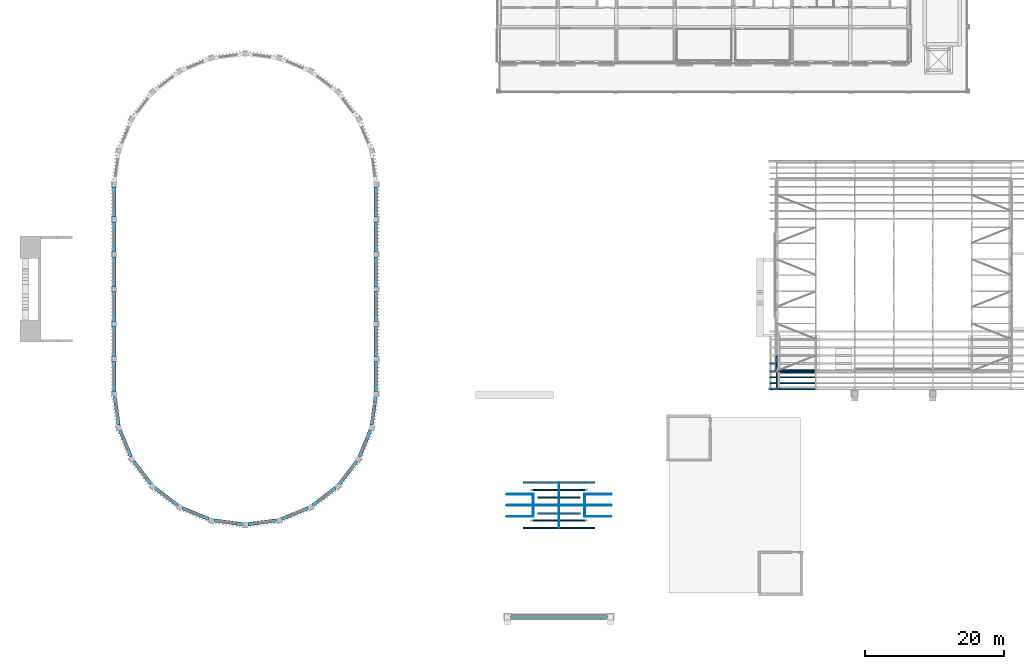
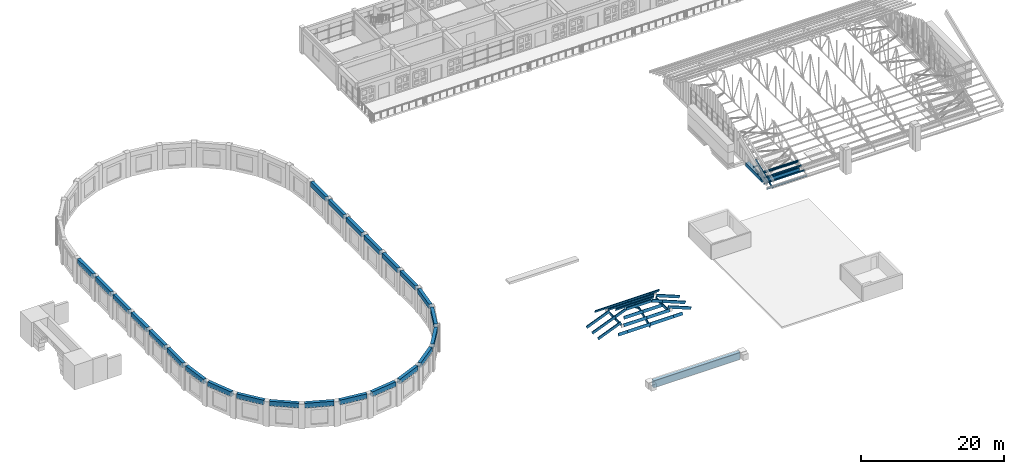
# One storey, part 3 of 71: 45 members, 28 beams.
"""IFC4 building model written with IfcOpenShell, lengths in metres."""

import ifcopenshell
import ifcopenshell.guid

model = None  # the IFC model being written
_history = None  # IfcOwnerHistory: only IFC2X3 demands one
_inside = {}  # id of a spatial element -> (the spatial element, [elements in it])
_under = {}  # id of a project, library or spatial element -> (it, [spatial elements below it])
_declared = {}  # id of a project -> (the project, [libraries it declares])
_typed = {}  # id of a type object -> (the type object, [elements of that type])
_made_of = {}  # id of a material, layer set ... -> (it, [elements and type objects made of it])


def new_model(schema):
    """Start an empty IFC model of exactly this schema.

    Asked for "IFC4X3", IfcOpenShell would pick the latest addendum, in which some entities
    have other attributes; the version numbers below select the first issue.
    IFC2X3 requires an IfcOwnerHistory on every rooted entity: one is made here for all.
    """
    global model, _history
    if schema == "IFC4X3":
        model = ifcopenshell.file(schema_version=(4, 3, 0, 0))
    else:
        model = ifcopenshell.file(schema=schema)
    _inside.clear()
    _under.clear()
    _declared.clear()
    _typed.clear()
    _made_of.clear()
    _history = None
    if model.schema == "IFC2X3":
        org = make("IfcOrganization", Name="unknown")
        user = make(
            "IfcPersonAndOrganization",
            ThePerson=make("IfcPerson", FamilyName="unknown"),
            TheOrganization=org,
        )
        app = make(
            "IfcApplication",
            ApplicationDeveloper=org,
            Version="unknown",
            ApplicationFullName="unknown",
            ApplicationIdentifier="unknown",
        )
        _history = make(
            "IfcOwnerHistory",
            OwningUser=user,
            OwningApplication=app,
            ChangeAction="ADDED",
            CreationDate=0,
        )
    return model


def make(cls, **values):
    """One entity of the class cls with the attributes given. An attribute that is None is left unset."""
    return model.create_entity(
        cls, **{name: value for name, value in values.items() if value is not None}
    )


def rooted(cls, **values):
    """An entity with a GlobalId (a new one), such as an element, a storey or a relation."""
    return make(cls, GlobalId=ifcopenshell.guid.new(), OwnerHistory=_history, **values)


def si_unit(unit_type, name, prefix=None):
    """IfcSIUnit, for example si_unit("LENGTHUNIT", "METRE", prefix="MILLI")."""
    return make("IfcSIUnit", UnitType=unit_type, Prefix=prefix, Name=name)


def assignment(units):
    """IfcUnitAssignment: the units of a project."""
    return None if units is None else make("IfcUnitAssignment", Units=units)


def point(xyz):
    """IfcCartesianPoint."""
    return None if xyz is None else make("IfcCartesianPoint", Coordinates=xyz)


def direction(xyz):
    """IfcDirection."""
    return None if xyz is None else make("IfcDirection", DirectionRatios=xyz)


def frame(location, z_axis=None, x_axis=None):
    """IfcAxis2Placement3D, a coordinate frame: its origin and axes. An axis left out is left unset."""
    return make(
        "IfcAxis2Placement3D",
        Location=point(location),
        Axis=direction(z_axis),
        RefDirection=direction(x_axis),
    )


def frame_2d(location, x_axis=None):
    """IfcAxis2Placement2D, a coordinate frame in the plane: its origin and x axis."""
    return make(
        "IfcAxis2Placement2D", Location=point(location), RefDirection=direction(x_axis)
    )


def origin():
    """The frame at (0, 0, 0) with its axes left unset."""
    return frame((0.0, 0.0, 0.0))


def origin_2d():
    """The frame at (0, 0) in the plane with its x axis left unset."""
    return frame_2d((0.0, 0.0))


def place(relative_to, where):
    """IfcLocalPlacement: puts the frame where relative to a parent placement (None: the world)."""
    return make(
        "IfcLocalPlacement", PlacementRelTo=relative_to, RelativePlacement=where
    )


def context(
    kind, dimensions, precision=None, world=None, true_north=None, identifier=None
):
    """IfcGeometricRepresentationContext, for example the 3D "Model" context."""
    return make(
        "IfcGeometricRepresentationContext",
        ContextIdentifier=identifier,
        ContextType=kind,
        CoordinateSpaceDimension=dimensions,
        Precision=precision,
        WorldCoordinateSystem=world,
        TrueNorth=true_north,
    )


def subcontext(parent, identifier, kind, view, scale=None):
    """IfcGeometricRepresentationSubContext, for example "Body" below "Model"."""
    return make(
        "IfcGeometricRepresentationSubContext",
        ContextIdentifier=identifier,
        ContextType=kind,
        ParentContext=parent,
        TargetScale=scale,
        TargetView=view,
    )


def project(units=None, contexts=None):
    """IfcProject with its units and contexts."""
    return rooted(
        "IfcProject",
        Name="project",
        RepresentationContexts=contexts,
        UnitsInContext=assignment(units),
    )


def spatial(cls, under=None, at=None, **own):
    """A site, building, storey or space (cls), placed at a placement, below another one or the project."""
    s = rooted(cls, ObjectPlacement=at, **own)
    if under is not None:
        _under.setdefault(under.id(), (under, []))[1].append(s)
    return s


def profile(cls, at=None, kind="AREA", **sizes):
    """A parametric profile (cls). Its sizes go by their IFC names, for example OverallWidth=200.0."""
    return make(cls, ProfileType=kind, Position=at, **sizes)


def rectangle(**sizes):
    """IfcRectangleProfileDef."""
    return profile("IfcRectangleProfileDef", **sizes)


def hollow_rectangle(**sizes):
    """IfcRectangleHollowProfileDef."""
    return profile("IfcRectangleHollowProfileDef", **sizes)


def i_section(**sizes):
    """IfcIShapeProfileDef."""
    return profile("IfcIShapeProfileDef", **sizes)


def extrude(swept, where, along, depth):
    """IfcExtrudedAreaSolid: the profile swept, set in the frame where, extruded along a direction by depth."""
    return make(
        "IfcExtrudedAreaSolid",
        SweptArea=swept,
        Position=where,
        ExtrudedDirection=direction(along),
        Depth=depth,
    )


def shape(context_of_items, identifier, shape_type, items):
    """IfcShapeRepresentation: the items that make up one representation, for example the "Body"."""
    return make(
        "IfcShapeRepresentation",
        ContextOfItems=context_of_items,
        RepresentationIdentifier=identifier,
        RepresentationType=shape_type,
        Items=items,
    )


def material(Name=None, Category=None):
    """IfcMaterial."""
    return make("IfcMaterial", Name=Name, Category=Category)


def material_profile(
    of_material, cross_section, Name=None, Category=None, Priority=None
):
    """IfcMaterialProfile: a cross section and its material."""
    return make(
        "IfcMaterialProfile",
        Name=Name,
        Material=of_material,
        Profile=cross_section,
        Priority=Priority,
        Category=Category,
    )


def profile_set(profiles, Name=None, composite=None):
    """IfcMaterialProfileSet."""
    return make(
        "IfcMaterialProfileSet",
        Name=Name,
        MaterialProfiles=profiles,
        CompositeProfile=composite,
    )


def made_of(thing, what):
    """Note that an element or type object is made of a material, layer set ...; save() writes the relation."""
    if what is not None:
        _made_of.setdefault(what.id(), (what, []))[1].append(thing)
    return thing


def type_object(cls, material=None, **own):
    """A type object (cls), such as IfcWallType, which elements share."""
    return made_of(rooted(cls, **own), material)


def element(
    cls,
    number,
    at=None,
    inside=None,
    cuts=None,
    type_object=None,
    material=None,
    context=None,
    identifier="Body",
    shape_type=None,
    held_by="IfcProductDefinitionShape",
    body=None,
    shapes=None,
    **own,
):
    """One element of the class cls, such as IfcWall. Its Tag is "e" and its number.

    at: its placement. inside: the storey or other place that contains it. cuts: it is an
    opening in that element (IfcRelVoidsElement). A single representation is given by context,
    identifier, shape_type and body (its items); several are given by shapes. held_by: the class
    of the entity that holds the representations. save() writes the other relations.
    """
    e = rooted(cls, Tag="e%d" % number, ObjectPlacement=at, **own)
    if body is not None:
        shapes = [shape(context, identifier, shape_type, body)]
    if shapes is not None:
        e.Representation = make(held_by, Representations=shapes)
    if inside is not None:
        _inside.setdefault(inside.id(), (inside, []))[1].append(e)
    if cuts is not None:
        rooted(
            "IfcRelVoidsElement", RelatingBuildingElement=cuts, RelatedOpeningElement=e
        )
    if type_object is not None:
        _typed.setdefault(type_object.id(), (type_object, []))[1].append(e)
    return made_of(e, material)


def aggregate(whole, parts):
    """IfcRelAggregates: a whole, such as a stair, and the parts it consists of."""
    return rooted("IfcRelAggregates", RelatingObject=whole, RelatedObjects=parts)


def save(model, path):
    """Write the relations noted so far, then the file.

    IfcRelAggregates (storeys below a building ...), IfcRelContainedInSpatialStructure (elements
    in a storey), IfcRelDefinesByType, IfcRelAssociatesMaterial and IfcRelDeclares: one each for
    every whole, place, type object, material and project.
    """
    for whole, parts in _under.values():
        aggregate(whole, parts)
    for where, things in _inside.values():
        rooted(
            "IfcRelContainedInSpatialStructure",
            RelatedElements=things,
            RelatingStructure=where,
        )
    for kind, things in _typed.values():
        rooted("IfcRelDefinesByType", RelatedObjects=things, RelatingType=kind)
    for what, things in _made_of.values():
        rooted("IfcRelAssociatesMaterial", RelatedObjects=things, RelatingMaterial=what)
    for by, libraries in _declared.values():
        rooted("IfcRelDeclares", RelatingContext=by, RelatedDefinitions=libraries)
    model.write(path)


model = new_model("IFC4")

# Units and contexts
model_context = context("Model", 3, precision=1e-05, world=origin(), true_north=direction((0.0, 1.0)))
body_context = subcontext(model_context, "Body", "Model", "MODEL_VIEW")
ifc_project = project(units=[si_unit("LENGTHUNIT", "METRE"), si_unit("AREAUNIT", "SQUARE_METRE"), si_unit("VOLUMEUNIT", "CUBIC_METRE"), si_unit("PLANEANGLEUNIT", "RADIAN"), si_unit("MASSUNIT", "GRAM", prefix="KILO")], contexts=[model_context])

# Site, building, storey
site_placement = place(None, origin())
site = spatial("IfcSite", under=ifc_project, at=site_placement, CompositionType="ELEMENT")
building_placement = place(site_placement, origin())
building = spatial("IfcBuilding", under=site, at=building_placement, Name="Wasatch Bagh Community Centre", CompositionType="ELEMENT")
storey_placement = place(building_placement, frame((0.0, 0.0, 12.60009765625)))
storey = spatial("IfcBuildingStorey", under=building, at=storey_placement, Name="L03", CompositionType="ELEMENT", Elevation=12.60009765625)

# Beams
ifc_material_1 = material(Name="Concrete C35", Category="concrete")
ifc_material_profile_1 = material_profile(ifc_material_1, rectangle(XDim=0.5, YDim=1.199951171875, at=origin_2d()), Name="RC 500x1200")
ifc_profile_set_1 = profile_set([ifc_material_profile_1], Name="Concrete C35")
beam_type_1 = type_object("IfcBeamType", Name="CL-B3", PredefinedType="BEAM", material=ifc_profile_set_1)
beam_1_placement = place(storey_placement, frame((74.050048828125, 3.0, 0.39990234375), z_axis=(1.0, 0.0, 0.0), x_axis=(0.0, 1.0, 0.0)))
element("IfcBeam", 1, at=beam_1_placement, inside=storey, type_object=beam_type_1, Name="CL-B3 head beam DHI", PredefinedType="BEAM", context=body_context, shape_type="SweptSolid", body=[
    extrude(rectangle(XDim=0.5, YDim=1.199951171875, at=origin_2d()), origin(), (0.0, 0.0, 1.0), 13.89990234375),
])
ifc_material_2 = material(Name="Glulam 24F-V4 Douglas fir-larch", Category="wood")
ifc_material_profile_2 = material_profile(ifc_material_2, rectangle(XDim=0.130126953125, YDim=0.457275390625, at=origin_2d()), Name="GL 130x457")
ifc_profile_set_2 = profile_set([ifc_material_profile_2], Name="Glulam 24F-V4 Douglas fir-larch")
beam_type_2 = type_object("IfcBeamType", Name="DH GL 130x457 beam", PredefinedType="BEAM", material=ifc_profile_set_2)
beam_2_placement = place(storey_placement, frame((79.0, 19.0, 1.6572265625), z_axis=(1.0, 0.0, 0.0), x_axis=(0.0, 1.0, 0.0)))
element("IfcBeam", 2, at=beam_2_placement, inside=storey, type_object=beam_type_2, Name="DH.ridge", PredefinedType="BEAM", context=body_context, shape_type="SweptSolid", body=[
    extrude(rectangle(XDim=0.130126953125, YDim=0.457275390625, at=origin_2d()), origin(), (0.0, 0.0, 1.0), 4.0),
])

# Members
ifc_material_profile_3 = material_profile(ifc_material_2, rectangle(XDim=0.130126953125, YDim=0.457275390625, at=origin_2d()), Name="GL 130x457")
ifc_profile_set_3 = profile_set([ifc_material_profile_3], Name="Glulam 24F-V4 Douglas fir-larch")
member_type_1 = type_object("IfcMemberType", Name="DH GL 130x457 chord", PredefinedType="CHORD", material=ifc_profile_set_3)
for number, where, z_axis, x_axis, name in (
    (3, (77.300048828125, 17.344970703125, 0.509033203125), (0.0, 0.99999685191, 0.002509217193), (-1.0, 0.0, 0.0), "DH.TH3.TC05"),
    (4, (77.300048828125, 19.0009765625, 0.51318359375), (0.0, 0.99999685191, -0.002509217193), (-1.0, 0.0, 0.0), "DH.TH3.TC06"),
):
    element("IfcMember", number, at=place(storey_placement, frame(where, z_axis=z_axis, x_axis=x_axis)), inside=storey, type_object=member_type_1, Name=name, PredefinedType="CHORD", context=body_context, shape_type="SweptSolid", body=[
        extrude(rectangle(XDim=0.130126953125, YDim=0.457275390625, at=origin_2d()), origin(), (0.0, 0.0, 1.0), 1.654052734375),
    ])
for number, where, z_axis, x_axis, name in (
    (5, (81.0, 15.801025390625, -0.1103515625), (0.0, 0.925375702556, 0.379051195908), (-1.0, 0.0, 0.0), "DH.TH4.TC05"),
    (6, (81.0, 19.087158203125, 1.164306640625), (0.0, 0.925375702556, -0.379051195908), (-1.0, 0.0, 0.0), "DH.TH4.TC06"),
):
    element("IfcMember", number, at=place(storey_placement, frame(where, z_axis=z_axis, x_axis=x_axis)), inside=storey, type_object=member_type_1, Name=name, PredefinedType="CHORD", context=body_context, shape_type="SweptSolid", body=[
        extrude(rectangle(XDim=0.130126953125, YDim=0.457275390625, at=origin_2d()), origin(), (0.0, 0.0, 1.0), 3.36279296875),
    ])
for number, where, z_axis, x_axis, name in (
    (7, (84.699951171875, 17.344970703125, 0.509033203125), (0.0, 0.99999685191, 0.002509217193), (-1.0, 0.0, 0.0), "DH.TH5.TC05"),
    (8, (84.699951171875, 19.0009765625, 0.51318359375), (0.0, 0.99999685191, -0.002509217193), (-1.0, 0.0, 0.0), "DH.TH5.TC06"),
):
    element("IfcMember", number, at=place(storey_placement, frame(where, z_axis=z_axis, x_axis=x_axis)), inside=storey, type_object=member_type_1, Name=name, PredefinedType="CHORD", context=body_context, shape_type="SweptSolid", body=[
        extrude(rectangle(XDim=0.130126953125, YDim=0.457275390625, at=origin_2d()), origin(), (0.0, 0.0, 1.0), 1.654052734375),
    ])
ifc_material_profile_4 = material_profile(ifc_material_2, rectangle(XDim=0.130126953125, YDim=0.457275390625, at=origin_2d()), Name="GL 130x457")
ifc_profile_set_4 = profile_set([ifc_material_profile_4], Name="Glulam 24F-V4 Douglas fir-larch")
member_type_2 = type_object("IfcMemberType", Name="DH GL 130x457 purlin", PredefinedType="PURLIN", material=ifc_profile_set_4)
member_1_placement = place(storey_placement, frame((75.82861328125, 15.742919921875, 0.359130859375), z_axis=(1.0, 0.0, 0.0), x_axis=(0.0, 0.927183854567, -0.374606593416)))
element("IfcMember", 9, at=member_1_placement, inside=storey, type_object=member_type_2, Name="DH.PUR.S12.1", PredefinedType="PURLIN", context=body_context, shape_type="SweptSolid", body=[
    extrude(rectangle(XDim=0.130126953125, YDim=0.457275390625, at=origin_2d()), origin(), (0.0, 0.0, 1.0), 1.471435546875),
])
for number, where, z_axis, x_axis, name in (
    (10, (77.300048828125, 15.742919921875, 0.359130859375), (1.0, 0.0, 0.0), (0.0, 0.927183854567, -0.374606593416), "DH.PUR.S12.2"),
    (11, (81.0, 15.742919921875, 0.359130859375), (1.0, 0.0, 0.0), (0.0, 0.927183854567, -0.374606593416), "DH.PUR.S12.3"),
):
    element("IfcMember", number, at=place(storey_placement, frame(where, z_axis=z_axis, x_axis=x_axis)), inside=storey, type_object=member_type_2, Name=name, PredefinedType="PURLIN", context=body_context, shape_type="SweptSolid", body=[
        extrude(rectangle(XDim=0.130126953125, YDim=0.457275390625, at=origin_2d()), origin(), (0.0, 0.0, 1.0), 3.699951171875),
    ])
member_2_placement = place(storey_placement, frame((84.699951171875, 15.742919921875, 0.359130859375), z_axis=(1.0, 0.0, 0.0), x_axis=(0.0, 0.927183854567, -0.374606593416)))
element("IfcMember", 12, at=member_2_placement, inside=storey, type_object=member_type_2, Name="DH.PUR.S12.4", PredefinedType="PURLIN", context=body_context, shape_type="SweptSolid", body=[
    extrude(rectangle(XDim=0.130126953125, YDim=0.457275390625, at=origin_2d()), origin(), (0.0, 0.0, 1.0), 1.471435546875),
])
for number, where, z_axis, x_axis, name in (
    (13, (77.300048828125, 16.800048828125, 0.786376953125), (1.0, 0.0, 0.0), (0.0, 0.927183854567, -0.374606593416), "DH.PUR.S13.2"),
    (14, (81.0, 16.800048828125, 0.786376953125), (1.0, 0.0, 0.0), (0.0, 0.927183854567, -0.374606593416), "DH.PUR.S13.3"),
):
    element("IfcMember", number, at=place(storey_placement, frame(where, z_axis=z_axis, x_axis=x_axis)), inside=storey, type_object=member_type_2, Name=name, PredefinedType="PURLIN", context=body_context, shape_type="SweptSolid", body=[
        extrude(rectangle(XDim=0.130126953125, YDim=0.457275390625, at=origin_2d()), origin(), (0.0, 0.0, 1.0), 3.699951171875),
    ])
for number, where, z_axis, x_axis, name in (
    (15, (77.94287109375, 17.857177734375, 1.21337890625), (1.0, 0.0, 0.0), (0.0, 0.927183854567, -0.374606593416), "DH.PUR.S14.1"),
    (16, (81.0, 17.857177734375, 1.21337890625), (1.0, 0.0, 0.0), (0.0, 0.927183854567, -0.374606593416), "DH.PUR.S14.2"),
):
    element("IfcMember", number, at=place(storey_placement, frame(where, z_axis=z_axis, x_axis=x_axis)), inside=storey, type_object=member_type_2, Name=name, PredefinedType="PURLIN", context=body_context, shape_type="SweptSolid", body=[
        extrude(rectangle(XDim=0.130126953125, YDim=0.457275390625, at=origin_2d()), origin(), (0.0, 0.0, 1.0), 3.05712890625),
    ])
member_3_placement = place(storey_placement, frame((75.82861328125, 22.257080078125, 0.359130859375), z_axis=(1.0, 0.0, 0.0), x_axis=(0.0, 0.927183854567, 0.374606593416)))
element("IfcMember", 17, at=member_3_placement, inside=storey, type_object=member_type_2, Name="DH.PUR.N12.1", PredefinedType="PURLIN", context=body_context, shape_type="SweptSolid", body=[
    extrude(rectangle(XDim=0.130126953125, YDim=0.457275390625, at=origin_2d()), origin(), (0.0, 0.0, 1.0), 1.471435546875),
])
for number, where, z_axis, x_axis, name in (
    (18, (77.300048828125, 22.257080078125, 0.359130859375), (1.0, 0.0, 0.0), (0.0, 0.927183854567, 0.374606593416), "DH.PUR.N12.2"),
    (19, (81.0, 22.257080078125, 0.359130859375), (1.0, 0.0, 0.0), (0.0, 0.927183854567, 0.374606593416), "DH.PUR.N12.3"),
):
    element("IfcMember", number, at=place(storey_placement, frame(where, z_axis=z_axis, x_axis=x_axis)), inside=storey, type_object=member_type_2, Name=name, PredefinedType="PURLIN", context=body_context, shape_type="SweptSolid", body=[
        extrude(rectangle(XDim=0.130126953125, YDim=0.457275390625, at=origin_2d()), origin(), (0.0, 0.0, 1.0), 3.699951171875),
    ])
member_4_placement = place(storey_placement, frame((84.699951171875, 22.257080078125, 0.359130859375), z_axis=(1.0, 0.0, 0.0), x_axis=(0.0, 0.927183854567, 0.374606593416)))
element("IfcMember", 20, at=member_4_placement, inside=storey, type_object=member_type_2, Name="DH.PUR.N12.4", PredefinedType="PURLIN", context=body_context, shape_type="SweptSolid", body=[
    extrude(rectangle(XDim=0.130126953125, YDim=0.457275390625, at=origin_2d()), origin(), (0.0, 0.0, 1.0), 1.471435546875),
])
for number, where, z_axis, x_axis, name in (
    (21, (77.300048828125, 21.199951171875, 0.786376953125), (1.0, 0.0, 0.0), (0.0, 0.927183854567, 0.374606593416), "DH.PUR.N13.2"),
    (22, (81.0, 21.199951171875, 0.786376953125), (1.0, 0.0, 0.0), (0.0, 0.927183854567, 0.374606593416), "DH.PUR.N13.3"),
):
    element("IfcMember", number, at=place(storey_placement, frame(where, z_axis=z_axis, x_axis=x_axis)), inside=storey, type_object=member_type_2, Name=name, PredefinedType="PURLIN", context=body_context, shape_type="SweptSolid", body=[
        extrude(rectangle(XDim=0.130126953125, YDim=0.457275390625, at=origin_2d()), origin(), (0.0, 0.0, 1.0), 3.699951171875),
    ])
for number, where, z_axis, x_axis, name in (
    (23, (77.94287109375, 20.142822265625, 1.21337890625), (1.0, 0.0, 0.0), (0.0, 0.927183854567, 0.374606593416), "DH.PUR.N14.1"),
    (24, (81.0, 20.142822265625, 1.21337890625), (1.0, 0.0, 0.0), (0.0, 0.927183854567, 0.374606593416), "DH.PUR.N14.2"),
):
    element("IfcMember", number, at=place(storey_placement, frame(where, z_axis=z_axis, x_axis=x_axis)), inside=storey, type_object=member_type_2, Name=name, PredefinedType="PURLIN", context=body_context, shape_type="SweptSolid", body=[
        extrude(rectangle(XDim=0.130126953125, YDim=0.457275390625, at=origin_2d()), origin(), (0.0, 0.0, 1.0), 3.05712890625),
    ])
ifc_material_profile_5 = material_profile(ifc_material_2, rectangle(XDim=0.130126953125, YDim=0.457275390625, at=origin_2d()), Name="GL 130x457")
ifc_profile_set_5 = profile_set([ifc_material_profile_5], Name="Glulam 24F-V4 Douglas fir-larch")
member_type_3 = type_object("IfcMemberType", Name="DH GL 130x457 rafter", PredefinedType="RAFTER", material=ifc_profile_set_5)
for number, where, z_axis, x_axis, name in (
    (25, (73.514404296875, 17.39990234375, -0.541259765625), (0.927162974835, 0.0, 0.374658268419), (0.0, 1.0, 0.0), "DH.RAF.W07.4"),
    (26, (88.485595703125, 17.39990234375, -0.541259765625), (-0.927162974835, 0.0, 0.374658268419), (0.0, -1.0, 0.0), "DH.RAF.E07.3"),
    (27, (73.514404296875, 19.0, -0.541259765625), (0.927162974835, 0.0, 0.374658268419), (0.0, 1.0, 0.0), "DH.RAF.W08.4"),
):
    element("IfcMember", number, at=place(storey_placement, frame(where, z_axis=z_axis, x_axis=x_axis)), inside=storey, type_object=member_type_3, Name=name, PredefinedType="RAFTER", context=body_context, shape_type="SweptSolid", body=[
        extrude(rectangle(XDim=0.130126953125, YDim=0.457275390625, at=origin_2d()), origin(), (0.0, 0.0, 1.0), 3.99072265625),
    ])
member_5_placement = place(storey_placement, frame((77.21435546875, 19.0, 0.953857421875), z_axis=(0.927194705015, 0.0, 0.374579736494), x_axis=(0.0, 1.0, 0.0)))
element("IfcMember", 28, at=member_5_placement, inside=storey, type_object=member_type_3, Name="DH.RAF.W08.5", PredefinedType="RAFTER", context=body_context, shape_type="SweptSolid", body=[
    extrude(rectangle(XDim=0.130126953125, YDim=0.457275390625, at=origin_2d()), origin(), (0.0, 0.0, 1.0), 1.83349609375),
])
member_6_placement = place(storey_placement, frame((88.485595703125, 19.0, -0.541259765625), z_axis=(-0.927162974835, 0.0, 0.374658268419), x_axis=(0.0, -1.0, 0.0)))
element("IfcMember", 29, at=member_6_placement, inside=storey, type_object=member_type_3, Name="DH.RAF.E08.3", PredefinedType="RAFTER", context=body_context, shape_type="SweptSolid", body=[
    extrude(rectangle(XDim=0.130126953125, YDim=0.457275390625, at=origin_2d()), origin(), (0.0, 0.0, 1.0), 3.99072265625),
])
member_7_placement = place(storey_placement, frame((84.78564453125, 19.0, 0.953857421875), z_axis=(-0.927194705015, 0.0, 0.374579736494), x_axis=(0.0, -1.0, 0.0)))
element("IfcMember", 30, at=member_7_placement, inside=storey, type_object=member_type_3, Name="DH.RAF.E08.4", PredefinedType="RAFTER", context=body_context, shape_type="SweptSolid", body=[
    extrude(rectangle(XDim=0.130126953125, YDim=0.457275390625, at=origin_2d()), origin(), (0.0, 0.0, 1.0), 1.83349609375),
])
for number, where, z_axis, x_axis, name in (
    (31, (73.514404296875, 20.60009765625, -0.541259765625), (0.927162974835, 0.0, 0.374658268419), (0.0, 1.0, 0.0), "DH.RAF.W09.4"),
    (32, (88.485595703125, 20.60009765625, -0.541259765625), (-0.927162974835, 0.0, 0.374658268419), (0.0, -1.0, 0.0), "DH.RAF.E09.3"),
):
    element("IfcMember", number, at=place(storey_placement, frame(where, z_axis=z_axis, x_axis=x_axis)), inside=storey, type_object=member_type_3, Name=name, PredefinedType="RAFTER", context=body_context, shape_type="SweptSolid", body=[
        extrude(rectangle(XDim=0.130126953125, YDim=0.457275390625, at=origin_2d()), origin(), (0.0, 0.0, 1.0), 3.99072265625),
    ])

# Beams
ifc_material_profile_6 = material_profile(ifc_material_1, rectangle(XDim=0.5, YDim=0.800048828125, at=origin_2d()), Name="RC 500x800")
ifc_profile_set_6 = profile_set([ifc_material_profile_6], Name="Concrete C35")
beam_type_3 = type_object("IfcBeamType", Name="MH ring beam RC 500x800", PredefinedType="BEAM", material=ifc_profile_set_6)
for number, where, z_axis, x_axis, name in (
    (33, (17.300537109375, 34.616943359375, 3.7998046875), (0.130483623501, -0.991450464722, 0.0), (0.991450464722, 0.130483623501, 0.0), "Ring beam 16.8 W1-S1"),
    (34, (18.036865234375, 29.7900390625, 3.7998046875), (0.382688328955, -0.923877504262, 0.0), (0.923877504262, 0.382688328955, 0.0), "Ring beam 16.8 S1-S2"),
    (35, (19.997314453125, 25.318359375, 3.7998046875), (0.60877717335, -0.793341258985, 0.0), (0.793341258985, 0.60877717335, 0.0), "Ring beam 16.8 S2-S3"),
    (36, (23.04833984375, 21.506591796875, 3.7998046875), (0.793341258985, -0.60877717335, 0.0), (0.60877717335, 0.793341258985, 0.0), "Ring beam 16.8 S3-S4"),
    (37, (26.98193359375, 18.6142578125, 3.7998046875), (0.923877504262, -0.382688328955, 0.0), (0.382688328955, 0.923877504262, 0.0), "Ring beam 16.8 S4-S5"),
    (38, (31.5302734375, 16.83837890625, 3.7998046875), (0.991450464722, -0.130483623501, 0.0), (0.130483623501, 0.991450464722, 0.0), "Ring beam 16.8 S5-S6"),
    (39, (36.383056640625, 16.300537109375, 3.7998046875), (0.991450464722, 0.130483623501, 0.0), (-0.130483623501, 0.991450464722, 0.0), "Ring beam 16.8 S6-S7"),
    (40, (41.2099609375, 17.036865234375, 3.7998046875), (0.923877504262, 0.382688328955, 0.0), (-0.382688328955, 0.923877504262, 0.0), "Ring beam 16.8 S7-S8"),
    (41, (45.681640625, 18.997314453125, 3.7998046875), (0.793341258985, 0.60877717335, 0.0), (-0.60877717335, 0.793341258985, 0.0), "Ring beam 16.8 S8-S9"),
    (42, (49.493408203125, 22.04833984375, 3.7998046875), (0.60877717335, 0.793341258985, 0.0), (-0.793341258985, 0.60877717335, 0.0), "Ring beam 16.8 S9-S10"),
    (43, (52.3857421875, 25.98193359375, 3.7998046875), (0.382688328955, 0.923877504262, 0.0), (-0.923877504262, 0.382688328955, 0.0), "Ring beam 16.8 S10-S11"),
    (44, (54.16162109375, 30.5302734375, 3.7998046875), (0.130483623501, 0.991450464722, 0.0), (-0.991450464722, 0.130483623501, 0.0), "Ring beam 16.8 S11-E1"),
):
    element("IfcBeam", number, at=place(storey_placement, frame(where, z_axis=z_axis, x_axis=x_axis)), inside=storey, type_object=beam_type_3, Name=name, PredefinedType="BEAM", context=body_context, shape_type="SweptSolid", body=[
        extrude(rectangle(XDim=0.5, YDim=0.800048828125, at=origin_2d()), origin(), (0.0, 0.0, 1.0), 4.121826171875),
    ])
for number, where, z_axis, x_axis, name in (
    (45, (54.75, 35.3505859375, 3.7998046875), (0.0, 1.0, 0.0), (-1.0, 0.0, 0.0), "Ring beam 16.8 E1-E2"),
    (46, (54.75, 40.3505859375, 3.7998046875), (0.0, 1.0, 0.0), (-1.0, 0.0, 0.0), "Ring beam 16.8 E2-E3"),
    (47, (54.75, 45.3505859375, 3.7998046875), (0.0, 1.0, 0.0), (-1.0, 0.0, 0.0), "Ring beam 16.8 E3-E4"),
    (48, (54.75, 50.3505859375, 3.7998046875), (0.0, 1.0, 0.0), (-1.0, 0.0, 0.0), "Ring beam 16.8 E4-E5"),
    (49, (54.75, 55.3505859375, 3.7998046875), (0.0, 1.0, 0.0), (-1.0, 0.0, 0.0), "Ring beam 16.8 E5-E6"),
    (50, (54.75, 60.3505859375, 3.7998046875), (0.0, 1.0, 0.0), (-1.0, 0.0, 0.0), "Ring beam 16.8 E6-E7"),
    (51, (17.25, 64.6494140625, 3.7998046875), (0.0, -1.0, 0.0), (1.0, 0.0, 0.0), "Ring beam 16.8 W7-W6"),
    (52, (17.25, 59.6494140625, 3.7998046875), (0.0, -1.0, 0.0), (1.0, 0.0, 0.0), "Ring beam 16.8 W6-W5"),
    (53, (17.25, 54.6494140625, 3.7998046875), (0.0, -1.0, 0.0), (1.0, 0.0, 0.0), "Ring beam 16.8 W5-W4"),
    (54, (17.25, 49.6494140625, 3.7998046875), (0.0, -1.0, 0.0), (1.0, 0.0, 0.0), "Ring beam 16.8 W4-W3"),
    (55, (17.25, 44.6494140625, 3.7998046875), (0.0, -1.0, 0.0), (1.0, 0.0, 0.0), "Ring beam 16.8 W3-W2"),
    (56, (17.25, 39.6494140625, 3.7998046875), (0.0, -1.0, 0.0), (1.0, 0.0, 0.0), "Ring beam 16.8 W2-W1"),
):
    element("IfcBeam", number, at=place(storey_placement, frame(where, z_axis=z_axis, x_axis=x_axis)), inside=storey, type_object=beam_type_3, Name=name, PredefinedType="BEAM", context=body_context, shape_type="SweptSolid", body=[
        extrude(rectangle(XDim=0.5, YDim=0.800048828125, at=origin_2d()), origin(), (0.0, 0.0, 1.0), 4.298828125),
    ])

# Members
ifc_material_3 = material(Name="ASTM A500 Grade C steel", Category="steel")
ifc_material_profile_7 = material_profile(ifc_material_3, hollow_rectangle(XDim=0.1015625, YDim=0.1015625, WallThickness=0.005859375, InnerFilletRadius=0.005859375, OuterFilletRadius=0.01171875, at=origin_2d()), Name="HSS4x4x1/4")
ifc_profile_set_7 = profile_set([ifc_material_profile_7], Name="ASTM A500 Grade C steel")
member_type_4 = type_object("IfcMemberType", Name="SH HSS4x4x1/4 strut", PredefinedType="STRUT", material=ifc_profile_set_7)
member_8_placement = place(storey_placement, frame((112.29541015625, 38.199951171875, 1.500244140625), z_axis=(1.0, 0.0, 0.0), x_axis=(0.0, 1.0, 0.0)))
element("IfcMember", 57, at=member_8_placement, inside=storey, type_object=member_type_4, Name="SH.BR.wT.ST01W", PredefinedType="STRUT", context=body_context, shape_type="SweptSolid", body=[
    extrude(hollow_rectangle(XDim=0.1015625, YDim=0.1015625, WallThickness=0.005859375, InnerFilletRadius=0.005859375, OuterFilletRadius=0.01171875, at=origin_2d()), origin(), (0.0, 0.0, 1.0), 5.4091796875),
])
member_9_placement = place(storey_placement, frame((112.27001953125, 38.199951171875, 0.68603515625), z_axis=(1.0, 0.0, 0.0), x_axis=(0.0, 1.0, 0.0)))
element("IfcMember", 58, at=member_9_placement, inside=storey, type_object=member_type_4, Name="SH.BR.wB.ST01W", PredefinedType="STRUT", context=body_context, shape_type="SweptSolid", body=[
    extrude(hollow_rectangle(XDim=0.1015625, YDim=0.1015625, WallThickness=0.005859375, InnerFilletRadius=0.005859375, OuterFilletRadius=0.01171875, at=origin_2d()), origin(), (0.0, 0.0, 1.0), 5.4599609375),
])
ifc_material_profile_8 = material_profile(ifc_material_3, hollow_rectangle(XDim=0.126953125, YDim=0.126953125, WallThickness=0.00732421875, InnerFilletRadius=0.00732421875, OuterFilletRadius=0.0146484375, at=origin_2d()), Name="HSS5x5x5/16")
ifc_profile_set_8 = profile_set([ifc_material_profile_8], Name="ASTM A500 Grade C steel")
member_type_5 = type_object("IfcMemberType", Name="SH HSS5x5x5/16 brace", PredefinedType="BRACE", material=ifc_profile_set_8)
member_10_placement = place(storey_placement, frame((112.199951171875, 38.458740234375, 0.81201171875), z_axis=(0.0, 0.775829568588, 0.630942533441), x_axis=(-1.0, 0.0, 0.0)))
element("IfcMember", 59, at=member_10_placement, inside=storey, type_object=member_type_5, Name="SH.SA1.WB01", PredefinedType="BRACE", context=body_context, shape_type="SweptSolid", body=[
    extrude(hollow_rectangle(XDim=0.126953125, YDim=0.126953125, WallThickness=0.00732421875, InnerFilletRadius=0.00732421875, OuterFilletRadius=0.0146484375, at=origin_2d()), origin(), (0.0, 0.0, 1.0), 1.83837890625),
])
ifc_material_profile_9 = material_profile(ifc_material_3, hollow_rectangle(XDim=0.15234375, YDim=0.15234375, WallThickness=0.0087890625, InnerFilletRadius=0.0087890625, OuterFilletRadius=0.017822265625, at=origin_2d()), Name="HSS6x6x3/8")
ifc_profile_set_9 = profile_set([ifc_material_profile_9], Name="ASTM A500 Grade C steel")
member_type_6 = type_object("IfcMemberType", Name="SH HSS6x6x3/8 chord", PredefinedType="CHORD", material=ifc_profile_set_9)
member_11_placement = place(storey_placement, frame((112.199951171875, 38.199951171875, 0.68603515625), z_axis=(0.0, 1.0, 0.0), x_axis=(-1.0, 0.0, 0.0)))
element("IfcMember", 60, at=member_11_placement, inside=storey, type_object=member_type_6, Name="SH.SA1.BC01", PredefinedType="CHORD", context=body_context, shape_type="SweptSolid", body=[
    extrude(hollow_rectangle(XDim=0.15234375, YDim=0.15234375, WallThickness=0.0087890625, InnerFilletRadius=0.0087890625, OuterFilletRadius=0.017822265625, at=origin_2d()), origin(), (0.0, 0.0, 1.0), 2.300048828125),
])
ifc_material_profile_10 = material_profile(ifc_material_3, hollow_rectangle(XDim=0.203125, YDim=0.203125, WallThickness=0.01171875, InnerFilletRadius=0.01171875, OuterFilletRadius=0.023681640625, at=origin_2d()), Name="HSS8x8x1/2")
ifc_profile_set_10 = profile_set([ifc_material_profile_10], Name="ASTM A500 Grade C steel")
member_type_7 = type_object("IfcMemberType", Name="SH HSS8x8x1/2 chord", PredefinedType="CHORD", material=ifc_profile_set_10)
member_12_placement = place(storey_placement, frame((112.199951171875, 35.699951171875, 0.490234375), z_axis=(0.0, 0.927165625561, 0.374651708629), x_axis=(-1.0, 0.0, 0.0)))
element("IfcMember", 61, at=member_12_placement, inside=storey, type_object=member_type_7, Name="SH.SA1.TC01", PredefinedType="CHORD", context=body_context, shape_type="SweptSolid", body=[
    extrude(hollow_rectangle(XDim=0.203125, YDim=0.203125, WallThickness=0.01171875, InnerFilletRadius=0.01171875, OuterFilletRadius=0.023681640625, at=origin_2d()), origin(), (0.0, 0.0, 1.0), 2.69580078125),
])
member_13_placement = place(storey_placement, frame((112.199951171875, 38.200439453125, 1.50048828125), z_axis=(0.0, 0.927174106992, 0.374630718605), x_axis=(-1.0, 0.0, 0.0)))
element("IfcMember", 62, at=member_13_placement, inside=storey, type_object=member_type_7, Name="SH.SA1.TC02", PredefinedType="CHORD", context=body_context, shape_type="SweptSolid", body=[
    extrude(hollow_rectangle(XDim=0.203125, YDim=0.203125, WallThickness=0.01171875, InnerFilletRadius=0.01171875, OuterFilletRadius=0.023681640625, at=origin_2d()), origin(), (0.0, 0.0, 1.0), 2.479736328125),
])

# Beams
ifc_material_4 = material(Name="Concrete C40", Category="concrete")
ifc_material_profile_11 = material_profile(ifc_material_4, rectangle(XDim=0.60009765625, YDim=0.60009765625, at=origin_2d()), Name="RC 600x600")
ifc_profile_set_11 = profile_set([ifc_material_profile_11], Name="Concrete C40")
beam_type_4 = type_object("IfcBeamType", Name="SH RC 600x600 beam", PredefinedType="BEAM", material=ifc_profile_set_11)
beam_3_placement = place(storey_placement, frame((112.199951171875, 38.199951171875, 0.2998046875), z_axis=(1.0, 0.0, 0.0), x_axis=(0.0, 1.0, 0.0)))
element("IfcBeam", 63, at=beam_3_placement, inside=storey, type_object=beam_type_4, Name="SH.beam.L03.ring01", PredefinedType="BEAM", context=body_context, shape_type="SweptSolid", body=[
    extrude(rectangle(XDim=0.60009765625, YDim=0.60009765625, at=origin_2d()), origin(), (0.0, 0.0, 1.0), 5.60009765625),
])
beam_4_placement = place(storey_placement, frame((112.199951171875, 38.199951171875, 0.2998046875), z_axis=(0.0, 1.0, 0.0), x_axis=(-1.0, 0.0, 0.0)))
element("IfcBeam", 64, at=beam_4_placement, inside=storey, type_object=beam_type_4, Name="SH.beam.L03.ring13", PredefinedType="BEAM", context=body_context, shape_type="SweptSolid", body=[
    extrude(rectangle(XDim=0.60009765625, YDim=0.60009765625, at=origin_2d()), origin(), (0.0, 0.0, 1.0), 4.60009765625),
])

# Members
ifc_material_5 = material(Name="ASTM A992 Grade 50 steel", Category="steel")
ifc_material_profile_12 = material_profile(ifc_material_5, i_section(OverallWidth=0.203125, OverallDepth=0.203125, WebThickness=0.00732421875, FlangeThickness=0.010986328125, at=origin_2d()), Name="W8x31")
ifc_profile_set_12 = profile_set([ifc_material_profile_12], Name="ASTM A992 Grade 50 steel")
member_type_8 = type_object("IfcMemberType", Name="SH W8x31 purlin", PredefinedType="PURLIN", material=ifc_profile_set_12)
for number, where, z_axis, x_axis, name in (
    (65, (112.199951171875, 35.699951171875, 0.70947265625), (1.0, 0.0, 0.0), (0.0, 0.927183854567, -0.374606593416), "SH.PUR.b1.PU01"),
    (66, (112.199951171875, 36.533447265625, 1.046142578125), (1.0, 0.0, 0.0), (0.0, 0.927183854567, -0.374606593416), "SH.PUR.b1.PU02"),
    (67, (112.199951171875, 37.36669921875, 1.3828125), (1.0, 0.0, 0.0), (0.0, 0.927183854567, -0.374606593416), "SH.PUR.b1.PU03"),
    (68, (112.199951171875, 38.199951171875, 1.719482421875), (1.0, 0.0, 0.0), (0.0, 0.927183854567, -0.374606593416), "SH.PUR.b1.PU04"),
):
    element("IfcMember", number, at=place(storey_placement, frame(where, z_axis=z_axis, x_axis=x_axis)), inside=storey, type_object=member_type_8, Name=name, PredefinedType="PURLIN", context=body_context, shape_type="SweptSolid", body=[
        extrude(i_section(OverallWidth=0.203125, OverallDepth=0.203125, WebThickness=0.00732421875, FlangeThickness=0.010986328125, at=origin_2d()), origin(), (0.0, 0.0, 1.0), 5.60009765625),
    ])
for number, where, z_axis, x_axis, name in (
    (69, (111.199951171875, 35.699951171875, 0.70947265625), (1.0, 0.0, 0.0), (0.0, 0.927183854567, -0.374606593416), "SH.PUR.v1.PU01"),
    (70, (111.199951171875, 36.533447265625, 1.046142578125), (1.0, 0.0, 0.0), (0.0, 0.927183854567, -0.374606593416), "SH.PUR.v1.PU02"),
    (71, (111.199951171875, 37.36669921875, 1.3828125), (1.0, 0.0, 0.0), (0.0, 0.927183854567, -0.374606593416), "SH.PUR.v1.PU03"),
    (72, (111.199951171875, 38.199951171875, 1.719482421875), (1.0, 0.0, 0.0), (0.0, 0.927183854567, -0.374606593416), "SH.PUR.v1.PU04"),
    (73, (111.199951171875, 39.35009765625, 2.18408203125), (1.0, 0.0, 0.0), (0.0, 0.927183854567, -0.374606593416), "SH.PUR.v1.PU05"),
):
    element("IfcMember", number, at=place(storey_placement, frame(where, z_axis=z_axis, x_axis=x_axis)), inside=storey, type_object=member_type_8, Name=name, PredefinedType="PURLIN", context=body_context, shape_type="SweptSolid", body=[
        extrude(i_section(OverallWidth=0.203125, OverallDepth=0.203125, WebThickness=0.00732421875, FlangeThickness=0.010986328125, at=origin_2d()), origin(), (0.0, 0.0, 1.0), 1.0),
    ])

save(model, "model.ifc")
